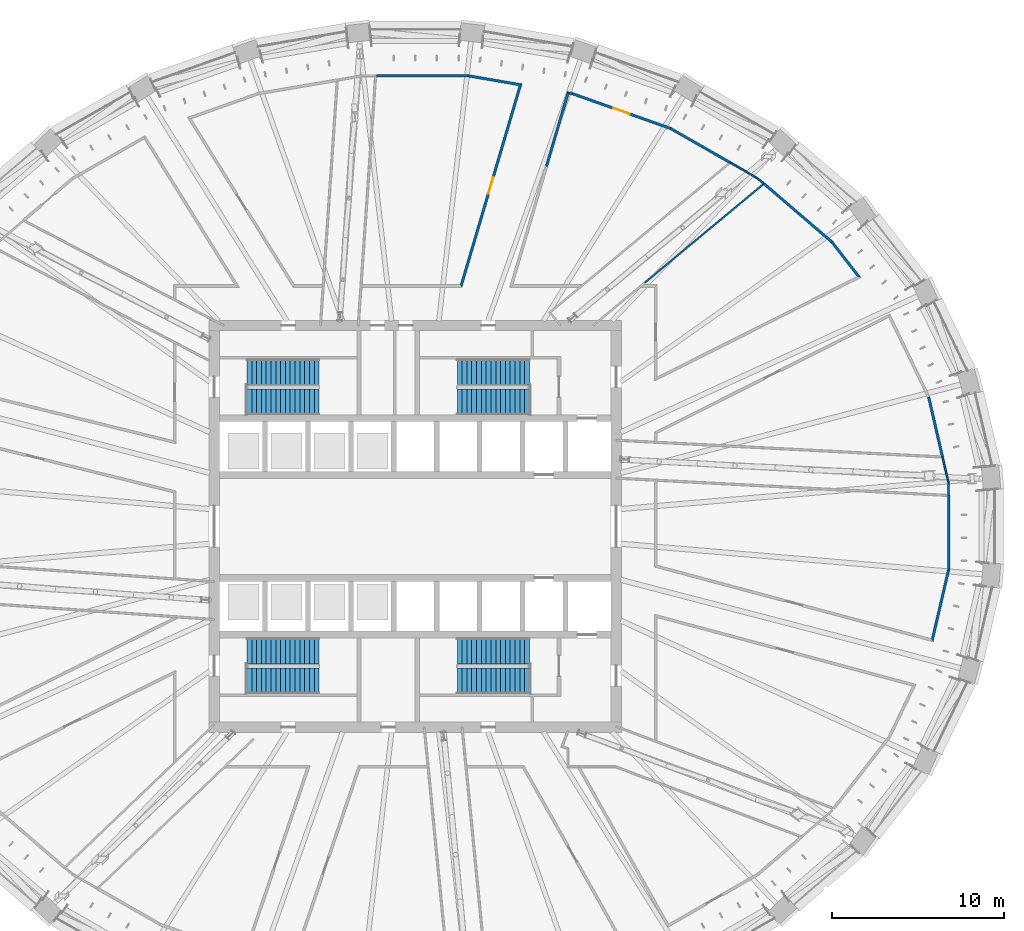
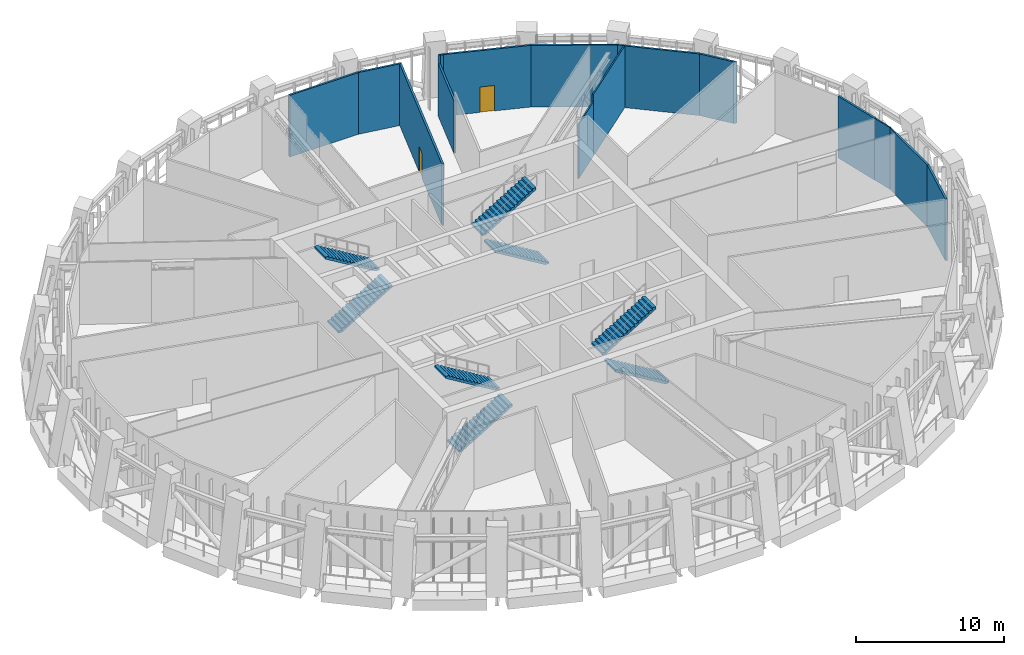
# One storey, part 11 of 21: 18 walls, 8 stair flights, 2 doors, 2 openings, 4 elements without a shape of their own.
"""IFC4 building model written with IfcOpenShell, lengths in metres."""

from ifc_helpers import new_model, si_unit, direction, frame, frame_2d, origin, place, context, subcontext, project, spatial, polyline, rectangle, outline, extrude, material, layer, layer_set, type_object, element, fill, aggregate, save


model = new_model("IFC4")

# Units and contexts
model_context = context("Model", 3, precision=1e-05, world=origin(), true_north=direction((0.0, 1.0)))
body_context = subcontext(model_context, "Body", "Model", "MODEL_VIEW")
ifc_project = project(units=[si_unit("LENGTHUNIT", "METRE"), si_unit("AREAUNIT", "SQUARE_METRE"), si_unit("VOLUMEUNIT", "CUBIC_METRE"), si_unit("PLANEANGLEUNIT", "RADIAN"), si_unit("MASSUNIT", "GRAM", prefix="KILO")], contexts=[model_context])

# Site, building, storey
site_placement = place(None, origin())
site = spatial("IfcSite", under=ifc_project, at=site_placement, CompositionType="ELEMENT")
building_placement = place(site_placement, origin())
building = spatial("IfcBuilding", under=site, at=building_placement, Name="Halqa Exchange Tower", CompositionType="ELEMENT")
storey_placement = place(building_placement, frame((0.0, 0.0, 173.5)))
storey = spatial("IfcBuildingStorey", under=building, at=storey_placement, Name="L39", CompositionType="ELEMENT", Elevation=173.5)

# Wall, opening, door
ifc_material_1 = material(Name="Fire-rated gypsum board")
ifc_layer_1 = layer(ifc_material_1, 0.14990234375)
ifc_layer_set_1 = layer_set([ifc_layer_1], Name="Fire-rated gypsum board")
wall_type_1 = type_object("IfcWallType", Name="Fire partition EI 60 150", PredefinedType="PARTITIONING", material=ifc_layer_set_1)
wall_1_placement = place(storey_placement, frame((2.654052734375, 13.9462890625, 0.0), z_axis=(0.0, 0.0, 1.0), x_axis=(0.283144655169, 0.959077214957, 0.0)))
wall_1 = element("IfcWall", 1, at=wall_1_placement, inside=storey, type_object=wall_type_1, Name="L39-PWL-053", PredefinedType="PARTITIONING", context=body_context, shape_type="SweptSolid", body=[
    extrude(outline(polyline([(0.0, -0.074951171875), (1.765869140625, -0.074951171875), (3.531494140625, -0.074951171875), (5.29736328125, -0.074951171875), (7.06298828125, -0.074951171875), (8.828857421875, -0.074951171875), (10.594482421875, -0.074951171875), (12.3603515625, -0.074951171875), (12.191650390625, 0.074951171875), (10.466064453125, 0.074951171875), (8.740478515625, 0.074951171875), (7.014892578125, 0.074951171875), (5.2890625, 0.074951171875), (3.5634765625, 0.074951171875), (1.837890625, 0.074951171875), (0.112060546875, 0.074951171875), (0.0, -0.074951171875)])), origin(), (0.0, 0.0, 1.0), 5.10009765625),
])
opening_1_placement = place(wall_1_placement, frame((5.666015625, 0.0, 0.0)))
opening_1 = element("IfcOpeningElement", 2, at=opening_1_placement, cuts=wall_1, Name="Opening L39-12", PredefinedType="OPENING", context=body_context, shape_type="SweptSolid", body=[
    extrude(rectangle(XDim=1.0, YDim=2.10009765625, at=frame_2d((0.5, 1.050048828125))), frame((0.0, 0.0869140625, 0.0), z_axis=(0.0, -1.0, 0.0), x_axis=(1.0, 0.0, 0.0)), (0.0, 0.0, 1.0), 0.173828125),
])
ifc_material_2 = material(Name="Steel fire door leaf", Category="steel")
door_type = type_object("IfcDoorType", Name="Fire door FD30S 1000 x 2100", OperationType="SINGLE_SWING_LEFT", PredefinedType="DOOR", material=ifc_material_2)
door_1_placement = place(opening_1_placement, origin())
door_1 = element("IfcDoor", 3, at=door_1_placement, inside=storey, type_object=door_type, Name="L39-IDR-012", OperationType="SINGLE_SWING_RIGHT", OverallHeight=2.10009765625, OverallWidth=1.0, PredefinedType="DOOR", context=body_context, shape_type="SweptSolid", body=[
    extrude(rectangle(XDim=1.0, YDim=2.10009765625, at=frame_2d((0.5, 1.050048828125))), frame((0.0, 0.02490234375, 0.0), z_axis=(0.0, -1.0, 0.0), x_axis=(1.0, 0.0, 0.0)), (0.0, 0.0, 1.0), 0.050048828125),
])
fill(opening_1, door_1)

# Walls
wall_2_placement = place(storey_placement, frame((3.1064453125, 26.239990234375, 0.0), z_axis=(0.0, 0.0, 1.0), x_axis=(-1.0, 0.0, 0.0)))
element("IfcWall", 4, at=wall_2_placement, inside=storey, type_object=wall_type_1, Name="L39-PWL-056", PredefinedType="PARTITIONING", context=body_context, shape_type="SweptSolid", body=[
    extrude(outline(polyline([(5.364013671875, 0.074951171875), (3.580322265625, 0.074951171875), (1.796630859375, 0.074951171875), (0.012939453125, 0.074951171875), (0.0, -0.074951171875), (1.7880859375, -0.074951171875), (3.575927734375, -0.074951171875), (5.364013671875, -0.074951171875), (5.364013671875, 0.074951171875)])), origin(), (0.0, 0.0, 1.0), 5.10009765625),
])
wall_3_placement = place(storey_placement, frame((6.213134765625, 25.705810546875, 0.0), z_axis=(0.0, 0.0, 1.0), x_axis=(-0.98558810082, 0.169162925968, 0.0)))
element("IfcWall", 5, at=wall_3_placement, inside=storey, type_object=wall_type_1, Name="L39-PWL-060", PredefinedType="PARTITIONING", context=body_context, shape_type="SweptSolid", body=[
    extrude(outline(polyline([(0.0, -0.074951171875), (1.58251953125, -0.074951171875), (3.1650390625, -0.074951171875), (3.15234375, 0.074951171875), (1.660400390625, 0.074951171875), (0.16845703125, 0.074951171875), (0.0, -0.074951171875), (0.0, -0.074951171875)])), origin(), (0.0, 0.0, 1.0), 5.10009765625),
])
wall_4_placement = place(storey_placement, frame((8.835205078125, 25.251953125, 0.0), z_axis=(0.0, 0.0, 1.0), x_axis=(0.987472375229, -0.157791977485, 0.0)))
element("IfcWall", 6, at=wall_4_placement, inside=storey, type_object=wall_type_1, Name="L39-PWL-068", PredefinedType="PARTITIONING", context=body_context, shape_type="SweptSolid", body=[
    extrude(outline(polyline([(0.132080078125, -0.074951171875), (0.322021484375, -0.074951171875), (0.335693359375, 0.073974609375), (0.335693359375, 0.074951171875), (0.000244140625, 0.074951171875), (0.132080078125, -0.074951171875)])), origin(), (0.0, 0.0, 1.0), 5.10009765625),
])

# Wall, opening, door
wall_5_placement = place(storey_placement, frame((14.8662109375, 23.177734375, 0.0), z_axis=(0.0, 0.0, 1.0), x_axis=(-0.942552992083, 0.334056667522, 0.0)))
wall_5 = element("IfcWall", 7, at=wall_5_placement, inside=storey, type_object=wall_type_1, Name="L39-PWL-086", PredefinedType="PARTITIONING", context=body_context, shape_type="SweptSolid", body=[
    extrude(outline(polyline([(6.060791015625, -0.074951171875), (6.060791015625, -0.07470703125), (6.047119140625, 0.074951171875), (4.53857421875, 0.074951171875), (3.0302734375, 0.074951171875), (1.521728515625, 0.074951171875), (0.013427734375, 0.074951171875), (0.0, -0.07373046875), (0.0, -0.074951171875), (1.51513671875, -0.074951171875), (3.0302734375, -0.074951171875), (4.545654296875, -0.074951171875), (6.060791015625, -0.074951171875)])), origin(), (0.0, 0.0, 1.0), 5.10009765625),
])
opening_2_placement = place(wall_5_placement, frame((2.530517578125, 0.0, 0.0)))
opening_2 = element("IfcOpeningElement", 8, at=opening_2_placement, cuts=wall_5, Name="Opening L39-11", PredefinedType="OPENING", context=body_context, shape_type="SweptSolid", body=[
    extrude(rectangle(XDim=1.0, YDim=2.10009765625, at=frame_2d((0.5, 1.050048828125))), frame((0.0, 0.0869140625, 0.0), z_axis=(0.0, -1.0, 0.0), x_axis=(1.0, 0.0, 0.0)), (0.0, 0.0, 1.0), 0.173828125),
])
door_2_placement = place(opening_2_placement, origin())
door_2 = element("IfcDoor", 9, at=door_2_placement, inside=storey, type_object=door_type, Name="L39-IDR-011", OperationType="SINGLE_SWING_LEFT", OverallHeight=2.10009765625, OverallWidth=1.0, PredefinedType="DOOR", context=body_context, shape_type="SweptSolid", body=[
    extrude(rectangle(XDim=1.0, YDim=2.10009765625, at=frame_2d((0.5, 1.050048828125))), frame((0.0, 0.02490234375, 0.0), z_axis=(0.0, -1.0, 0.0), x_axis=(1.0, 0.0, 0.0)), (0.0, 0.0, 1.0), 0.050048828125),
])
fill(opening_2, door_2)

# Walls
wall_6_placement = place(storey_placement, frame((18.340087890625, 21.18994140625, 0.0), z_axis=(0.0, 0.0, 1.0), x_axis=(-0.868082214064, 0.496420456495, 0.0)))
element("IfcWall", 10, at=wall_6_placement, inside=storey, type_object=wall_type_1, Name="L39-PWL-087", PredefinedType="PARTITIONING", context=body_context, shape_type="SweptSolid", body=[
    extrude(outline(polyline([(4.015625, -0.074951171875), (4.015625, -0.074951171875), (4.002197265625, 0.074951171875), (2.668212890625, 0.074951171875), (1.333984375, 0.074951171875), (0.0, 0.074951171875), (0.0, -0.074951171875), (1.338623046875, -0.074951171875), (2.677001953125, -0.074951171875), (4.015625, -0.074951171875)])), origin(), (0.0, 0.0, 1.0), 5.10009765625),
])
wall_7_placement = place(storey_placement, frame((24.265625, 16.565185546875, 0.0), z_axis=(0.0, 0.0, 1.0), x_axis=(-0.758849800529, 0.651265675617, 0.0)))
element("IfcWall", 11, at=wall_7_placement, inside=storey, type_object=wall_type_1, Name="L39-PWL-092", PredefinedType="PARTITIONING", context=body_context, shape_type="SweptSolid", body=[
    extrude(outline(polyline([(5.212646484375, 0.074951171875), (3.47998046875, 0.074951171875), (1.74755859375, 0.074951171875), (0.014892578125, 0.074951171875), (0.0, -0.07373046875), (0.0, -0.074951171875), (1.737548828125, -0.074951171875), (3.47509765625, -0.074951171875), (5.212646484375, -0.074951171875), (5.212646484375, 0.074951171875)])), origin(), (0.0, 0.0, 1.0), 5.10009765625),
])
wall_8_placement = place(storey_placement, frame((24.25537109375, 16.575927734375, 0.0), z_axis=(0.0, 0.0, 1.0), x_axis=(0.614204963837, -0.789146540509, 0.0)))
element("IfcWall", 12, at=wall_8_placement, inside=storey, type_object=wall_type_1, Name="L39-PWL-093", PredefinedType="PARTITIONING", context=body_context, shape_type="SweptSolid", body=[
    extrude(outline(polyline([(0.01513671875, -0.074951171875), (2.502197265625, -0.074951171875), (2.684814453125, 0.074951171875), (1.342529296875, 0.074951171875), (0.0, 0.074951171875), (0.0, 0.074951171875), (0.01513671875, -0.074951171875)])), origin(), (0.0, 0.0, 1.0), 5.10009765625),
])
wall_9_placement = place(storey_placement, frame((30.09228515625, -6.70556640625, 0.0), z_axis=(0.0, 0.0, 1.0), x_axis=(0.226294777683, 0.974058865569, 0.0)))
element("IfcWall", 13, at=wall_9_placement, inside=storey, type_object=wall_type_1, Name="L39-PWL-099", PredefinedType="PARTITIONING", context=body_context, shape_type="SweptSolid", body=[
    extrude(outline(polyline([(0.000244140625, -0.074951171875), (1.428466796875, -0.074951171875), (2.85693359375, -0.074951171875), (4.28515625, -0.074951171875), (4.267822265625, 0.074951171875), (2.89697265625, 0.074951171875), (1.526123046875, 0.074951171875), (0.1552734375, 0.074951171875), (0.000244140625, -0.074951171875)])), origin(), (0.0, 0.0, 1.0), 5.10009765625),
])
wall_10_placement = place(storey_placement, frame((30.7099609375, 4.0400390625, 0.0), z_axis=(0.0, 0.0, 1.0), x_axis=(-0.225443787921, 0.974256177033, 0.0)))
element("IfcWall", 14, at=wall_10_placement, inside=storey, type_object=wall_type_1, Name="L39-PWL-100", PredefinedType="PARTITIONING", context=body_context, shape_type="SweptSolid", body=[
    extrude(outline(polyline([(3.600830078125, -0.074951171875), (3.600830078125, -0.074462890625), (3.583984375, 0.074951171875), (1.7919921875, 0.074951171875), (0.0, 0.074951171875), (0.0, -0.074951171875), (1.80029296875, -0.074951171875), (3.600830078125, -0.074951171875)])), origin(), (0.0, 0.0, 1.0), 5.10009765625),
])
wall_11_placement = place(storey_placement, frame((31.06005859375, -2.548583984375, 0.0), z_axis=(0.0, 0.0, 1.0), x_axis=(0.0, 1.0, 0.0)))
element("IfcWall", 15, at=wall_11_placement, inside=storey, type_object=wall_type_1, Name="L39-PWL-101", PredefinedType="PARTITIONING", context=body_context, shape_type="SweptSolid", body=[
    extrude(outline(polyline([(4.36865234375, 0.074951171875), (2.918212890625, 0.074951171875), (1.4677734375, 0.074951171875), (0.01708984375, 0.074951171875), (0.0, -0.074951171875), (0.0, -0.074951171875), (1.456298828125, -0.074951171875), (2.912353515625, -0.074951171875), (4.36865234375, -0.074951171875), (4.36865234375, 0.074951171875)])), origin(), (0.0, 0.0, 1.0), 5.10009765625),
])
wall_12_placement = place(storey_placement, frame((7.642822265625, 20.970703125, 0.0), z_axis=(0.0, 0.0, 1.0), x_axis=(0.282505672749, 0.959265627897, 0.0)))
element("IfcWall", 16, at=wall_12_placement, inside=storey, type_object=wall_type_1, Name="L39-PWL-110", PredefinedType="PARTITIONING", context=body_context, shape_type="SweptSolid", body=[
    extrude(outline(polyline([(0.0, -0.074951171875), (1.4619140625, -0.074951171875), (2.924072265625, -0.074951171875), (4.385986328125, -0.074951171875), (4.51806640625, 0.074951171875), (3.011962890625, 0.074951171875), (1.506103515625, 0.074951171875), (0.0, 0.074951171875), (0.0, -0.074951171875)])), origin(), (0.0, 0.0, 1.0), 4.346923828125),
])
ifc_material_3 = material(Name="Gypsum board")
ifc_layer_2 = layer(ifc_material_3, 0.10009765625)
ifc_layer_set_2 = layer_set([ifc_layer_2], Name="Gypsum board")
wall_type_2 = type_object("IfcWallType", Name="Partition 100 gypsum", PredefinedType="PARTITIONING", material=ifc_layer_set_2)
wall_13_placement = place(storey_placement, frame((19.964111328125, 20.2578125, 0.0), z_axis=(0.0, 0.0, 1.0), x_axis=(-0.867294794208, 0.497794877373, 0.0)))
element("IfcWall", 17, at=wall_13_placement, inside=storey, type_object=wall_type_2, Name="L39-PWL-089", PredefinedType="PARTITIONING", context=body_context, shape_type="SweptSolid", body=[
    extrude(outline(polyline([(1.87255859375, 0.050048828125), (0.00927734375, 0.050048828125), (0.0, -0.04931640625), (0.0, -0.050048828125), (1.87255859375, -0.050048828125), (1.87255859375, 0.050048828125)])), origin(), (0.0, 0.0, 1.0), 5.10009765625),
])
wall_14_placement = place(storey_placement, frame((20.31005859375, 19.9599609375, 0.0), z_axis=(0.0, 0.0, 1.0), x_axis=(-0.759256602365, 0.650791373456, 0.0)))
element("IfcWall", 18, at=wall_14_placement, inside=storey, type_object=wall_type_2, Name="L39-PWL-090", PredefinedType="PARTITIONING", context=body_context, shape_type="SweptSolid", body=[
    extrude(outline(polyline([(0.0, -0.050048828125), (0.4658203125, -0.050048828125), (0.456298828125, 0.050048828125), (0.0, 0.050048828125), (0.0, -0.050048828125)])), origin(), (0.0, 0.0, 1.0), 5.10009765625),
])
wall_15_placement = place(storey_placement, frame((31.06005859375, 1.820068359375, 0.0), z_axis=(0.0, 0.0, 1.0), x_axis=(0.0, 1.0, 0.0)))
element("IfcWall", 19, at=wall_15_placement, inside=storey, type_object=wall_type_2, Name="L39-PWL-102", PredefinedType="PARTITIONING", context=body_context, shape_type="SweptSolid", body=[
    extrude(outline(polyline([(0.0, -0.050048828125), (0.7255859375, -0.050048828125), (0.714111328125, 0.050048828125), (0.0, 0.050048828125), (0.0, -0.050048828125)])), origin(), (0.0, 0.0, 1.0), 5.10009765625),
])
wall_16_placement = place(storey_placement, frame((31.061279296875, 2.534423828125, 0.0), z_axis=(0.0, 0.0, 1.0), x_axis=(-0.227234607536, 0.973840044945, 0.0)))
element("IfcWall", 20, at=wall_16_placement, inside=storey, type_object=wall_type_2, Name="L39-PWL-103", PredefinedType="PARTITIONING", context=body_context, shape_type="SweptSolid", body=[
    extrude(outline(polyline([(1.546142578125, 0.050048828125), (0.011474609375, 0.050048828125), (0.0, -0.0498046875), (0.0, -0.050048828125), (1.546142578125, -0.050048828125), (1.546142578125, 0.050048828125)])), origin(), (0.0, 0.0, 1.0), 5.10009765625),
])
wall_17_placement = place(storey_placement, frame((13.37255859375, 14.20068359375, 0.0), z_axis=(0.0, 0.0, 1.0), x_axis=(0.769361268621, 0.638813930927, 0.0)))
element("IfcWall", 21, at=wall_17_placement, inside=storey, type_object=wall_type_2, Name="L39-PWL-111", PredefinedType="PARTITIONING", context=body_context, shape_type="SweptSolid", body=[
    extrude(outline(polyline([(0.0, 0.050048828125), (0.0, -0.050048828125), (1.42041015625, -0.050048828125), (2.8408203125, -0.050048828125), (2.8408203125, 0.050048828125), (1.42041015625, 0.050048828125), (0.0, 0.050048828125)])), origin(), (0.0, 0.0, 1.0), 4.5),
])
wall_18_placement = place(storey_placement, frame((15.55810546875, 16.015380859375, 0.0), z_axis=(0.0, 0.0, 1.0), x_axis=(0.769423949418, 0.638738433212, 0.0)))
element("IfcWall", 22, at=wall_18_placement, inside=storey, type_object=wall_type_2, Name="L39-PWL-112", PredefinedType="PARTITIONING", context=body_context, shape_type="SweptSolid", body=[
    extrude(outline(polyline([(0.0, -0.050048828125), (1.527099609375, -0.050048828125), (3.05419921875, -0.050048828125), (4.581298828125, -0.050048828125), (6.108154296875, -0.050048828125), (6.101806640625, -0.0126953125), (6.116455078125, -0.01025390625), (6.116455078125, 0.050048828125), (4.58740234375, 0.050048828125), (3.05810546875, 0.050048828125), (1.529052734375, 0.050048828125), (0.0, 0.050048828125), (0.0, -0.050048828125)])), origin(), (0.0, 0.0, 1.0), 5.10009765625),
])

# Stair, stair flights
ifc_material_4 = material(Name="Concrete C30/37", Category="concrete")
stair_type = type_object("IfcStairType", Name="Exit stair 1500 wide", PredefinedType="HALF_TURN_STAIR", material=ifc_material_4)
stair_1_placement = place(storey_placement, origin())
stair_1 = element("IfcStair", 23, at=stair_1_placement, inside=storey, type_object=stair_type, Name="Exit stair ST1", PredefinedType="HALF_TURN_STAIR")
stair_flight_type = type_object("IfcStairFlightType", Name="Stair flight 1500 wide", PredefinedType="STRAIGHT", material=ifc_material_4)
stair_flight_1_placement = place(storey_placement, frame((-9.800048828125, 7.25, 0.0), z_axis=(0.0, 0.0, 1.0), x_axis=(1.0, 0.0, 0.0)))
stair_flight_1 = element("IfcStairFlight", 24, at=stair_flight_1_placement, type_object=stair_flight_type, Name="ST1 flight 1", NumberOfRisers=16, NumberOfTreads=15, PredefinedType="STRAIGHT", RiserHeight=0.16875, TreadLength=0.28, context=body_context, shape_type="SweptSolid", body=[
    extrude(outline(polyline([(0.0, 0.0), (0.0, 0.168701171875), (0.280029296875, 0.168701171875), (0.280029296875, 0.33740234375), (0.56005859375, 0.33740234375), (0.56005859375, 0.50634765625), (0.840087890625, 0.50634765625), (0.840087890625, 0.675048828125), (1.1201171875, 0.675048828125), (1.1201171875, 0.84375), (1.39990234375, 0.84375), (1.39990234375, 1.012451171875), (1.679931640625, 1.012451171875), (1.679931640625, 1.18115234375), (1.9599609375, 1.18115234375), (1.9599609375, 1.35009765625), (2.239990234375, 1.35009765625), (2.239990234375, 1.518798828125), (2.52001953125, 1.518798828125), (2.52001953125, 1.6875), (2.800048828125, 1.6875), (2.800048828125, 1.856201171875), (3.080078125, 1.856201171875), (3.080078125, 2.02490234375), (3.360107421875, 2.02490234375), (3.360107421875, 2.19384765625), (3.639892578125, 2.19384765625), (3.639892578125, 2.362548828125), (3.919921875, 2.362548828125), (3.919921875, 2.53125), (4.199951171875, 2.53125), (4.199951171875, 2.699951171875), (4.199951171875, 2.356201171875), (0.29052734375, 0.0), (0.0, 0.0)])), frame((0.0, 0.75, 0.0), z_axis=(0.0, -1.0, 0.0), x_axis=(1.0, 0.0, 0.0)), (0.0, 0.0, 1.0), 1.5),
])
stair_flight_2_placement = place(storey_placement, frame((-5.60009765625, 9.0, 2.699951171875), z_axis=(0.0, 0.0, 1.0), x_axis=(-1.0, 0.0, 0.0)))
stair_flight_2 = element("IfcStairFlight", 25, at=stair_flight_2_placement, type_object=stair_flight_type, Name="ST1 flight 2", NumberOfRisers=16, NumberOfTreads=15, PredefinedType="STRAIGHT", RiserHeight=0.16875, TreadLength=0.28, context=body_context, shape_type="SweptSolid", body=[
    extrude(outline(polyline([(0.0, 0.0), (0.0, 0.168701171875), (0.280029296875, 0.168701171875), (0.280029296875, 0.33740234375), (0.56005859375, 0.33740234375), (0.56005859375, 0.50634765625), (0.840087890625, 0.50634765625), (0.840087890625, 0.675048828125), (1.1201171875, 0.675048828125), (1.1201171875, 0.84375), (1.39990234375, 0.84375), (1.39990234375, 1.012451171875), (1.679931640625, 1.012451171875), (1.679931640625, 1.18115234375), (1.9599609375, 1.18115234375), (1.9599609375, 1.35009765625), (2.239990234375, 1.35009765625), (2.239990234375, 1.518798828125), (2.52001953125, 1.518798828125), (2.52001953125, 1.6875), (2.800048828125, 1.6875), (2.800048828125, 1.856201171875), (3.080078125, 1.856201171875), (3.080078125, 2.02490234375), (3.360107421875, 2.02490234375), (3.360107421875, 2.19384765625), (3.639892578125, 2.19384765625), (3.639892578125, 2.362548828125), (3.919921875, 2.362548828125), (3.919921875, 2.53125), (4.199951171875, 2.53125), (4.199951171875, 2.699951171875), (4.199951171875, 2.356201171875), (0.29052734375, 0.0), (0.0, 0.0)])), frame((0.0, 0.75, 0.0), z_axis=(0.0, -1.0, 0.0), x_axis=(1.0, 0.0, 0.0)), (0.0, 0.0, 1.0), 1.5),
])
aggregate(stair_1, [stair_flight_1, stair_flight_2])

stair_2_placement = place(storey_placement, origin())
stair_2 = element("IfcStair", 26, at=stair_2_placement, inside=storey, type_object=stair_type, Name="Exit stair ST2", PredefinedType="HALF_TURN_STAIR")
stair_flight_3_placement = place(storey_placement, frame((6.64990234375, 7.25, 0.0), z_axis=(0.0, 0.0, 1.0), x_axis=(-1.0, 0.0, 0.0)))
stair_flight_3 = element("IfcStairFlight", 27, at=stair_flight_3_placement, type_object=stair_flight_type, Name="ST2 flight 1", NumberOfRisers=16, NumberOfTreads=15, PredefinedType="STRAIGHT", RiserHeight=0.16875, TreadLength=0.28, context=body_context, shape_type="SweptSolid", body=[
    extrude(outline(polyline([(0.0, 0.0), (0.0, 0.168701171875), (0.280029296875, 0.168701171875), (0.280029296875, 0.33740234375), (0.56005859375, 0.33740234375), (0.56005859375, 0.50634765625), (0.840087890625, 0.50634765625), (0.840087890625, 0.675048828125), (1.1201171875, 0.675048828125), (1.1201171875, 0.84375), (1.39990234375, 0.84375), (1.39990234375, 1.012451171875), (1.679931640625, 1.012451171875), (1.679931640625, 1.18115234375), (1.9599609375, 1.18115234375), (1.9599609375, 1.35009765625), (2.239990234375, 1.35009765625), (2.239990234375, 1.518798828125), (2.52001953125, 1.518798828125), (2.52001953125, 1.6875), (2.800048828125, 1.6875), (2.800048828125, 1.856201171875), (3.080078125, 1.856201171875), (3.080078125, 2.02490234375), (3.360107421875, 2.02490234375), (3.360107421875, 2.19384765625), (3.639892578125, 2.19384765625), (3.639892578125, 2.362548828125), (3.919921875, 2.362548828125), (3.919921875, 2.53125), (4.199951171875, 2.53125), (4.199951171875, 2.699951171875), (4.199951171875, 2.356201171875), (0.29052734375, 0.0), (0.0, 0.0)])), frame((0.0, 0.75, 0.0), z_axis=(0.0, -1.0, 0.0), x_axis=(1.0, 0.0, 0.0)), (0.0, 0.0, 1.0), 1.5),
])
stair_flight_4_placement = place(storey_placement, frame((2.449951171875, 9.0, 2.699951171875), z_axis=(0.0, 0.0, 1.0), x_axis=(1.0, 0.0, 0.0)))
stair_flight_4 = element("IfcStairFlight", 28, at=stair_flight_4_placement, type_object=stair_flight_type, Name="ST2 flight 2", NumberOfRisers=16, NumberOfTreads=15, PredefinedType="STRAIGHT", RiserHeight=0.16875, TreadLength=0.28, context=body_context, shape_type="SweptSolid", body=[
    extrude(outline(polyline([(0.0, 0.0), (0.0, 0.168701171875), (0.280029296875, 0.168701171875), (0.280029296875, 0.33740234375), (0.56005859375, 0.33740234375), (0.56005859375, 0.50634765625), (0.840087890625, 0.50634765625), (0.840087890625, 0.675048828125), (1.1201171875, 0.675048828125), (1.1201171875, 0.84375), (1.39990234375, 0.84375), (1.39990234375, 1.012451171875), (1.679931640625, 1.012451171875), (1.679931640625, 1.18115234375), (1.9599609375, 1.18115234375), (1.9599609375, 1.35009765625), (2.239990234375, 1.35009765625), (2.239990234375, 1.518798828125), (2.52001953125, 1.518798828125), (2.52001953125, 1.6875), (2.800048828125, 1.6875), (2.800048828125, 1.856201171875), (3.080078125, 1.856201171875), (3.080078125, 2.02490234375), (3.360107421875, 2.02490234375), (3.360107421875, 2.19384765625), (3.639892578125, 2.19384765625), (3.639892578125, 2.362548828125), (3.919921875, 2.362548828125), (3.919921875, 2.53125), (4.199951171875, 2.53125), (4.199951171875, 2.699951171875), (4.199951171875, 2.356201171875), (0.29052734375, 0.0), (0.0, 0.0)])), frame((0.0, 0.75, 0.0), z_axis=(0.0, -1.0, 0.0), x_axis=(1.0, 0.0, 0.0)), (0.0, 0.0, 1.0), 1.5),
])
aggregate(stair_2, [stair_flight_3, stair_flight_4])

stair_3_placement = place(storey_placement, origin())
stair_3 = element("IfcStair", 29, at=stair_3_placement, inside=storey, type_object=stair_type, Name="Exit stair ST3", PredefinedType="HALF_TURN_STAIR")
stair_flight_5_placement = place(storey_placement, frame((-9.800048828125, -9.0, 0.0), z_axis=(0.0, 0.0, 1.0), x_axis=(1.0, 0.0, 0.0)))
stair_flight_5 = element("IfcStairFlight", 30, at=stair_flight_5_placement, type_object=stair_flight_type, Name="ST3 flight 1", NumberOfRisers=16, NumberOfTreads=15, PredefinedType="STRAIGHT", RiserHeight=0.16875, TreadLength=0.28, context=body_context, shape_type="SweptSolid", body=[
    extrude(outline(polyline([(0.0, 0.0), (0.0, 0.168701171875), (0.280029296875, 0.168701171875), (0.280029296875, 0.33740234375), (0.56005859375, 0.33740234375), (0.56005859375, 0.50634765625), (0.840087890625, 0.50634765625), (0.840087890625, 0.675048828125), (1.1201171875, 0.675048828125), (1.1201171875, 0.84375), (1.39990234375, 0.84375), (1.39990234375, 1.012451171875), (1.679931640625, 1.012451171875), (1.679931640625, 1.18115234375), (1.9599609375, 1.18115234375), (1.9599609375, 1.35009765625), (2.239990234375, 1.35009765625), (2.239990234375, 1.518798828125), (2.52001953125, 1.518798828125), (2.52001953125, 1.6875), (2.800048828125, 1.6875), (2.800048828125, 1.856201171875), (3.080078125, 1.856201171875), (3.080078125, 2.02490234375), (3.360107421875, 2.02490234375), (3.360107421875, 2.19384765625), (3.639892578125, 2.19384765625), (3.639892578125, 2.362548828125), (3.919921875, 2.362548828125), (3.919921875, 2.53125), (4.199951171875, 2.53125), (4.199951171875, 2.699951171875), (4.199951171875, 2.356201171875), (0.29052734375, 0.0), (0.0, 0.0)])), frame((0.0, 0.75, 0.0), z_axis=(0.0, -1.0, 0.0), x_axis=(1.0, 0.0, 0.0)), (0.0, 0.0, 1.0), 1.5),
])
stair_flight_6_placement = place(storey_placement, frame((-5.60009765625, -7.25, 2.699951171875), z_axis=(0.0, 0.0, 1.0), x_axis=(-1.0, 0.0, 0.0)))
stair_flight_6 = element("IfcStairFlight", 31, at=stair_flight_6_placement, type_object=stair_flight_type, Name="ST3 flight 2", NumberOfRisers=16, NumberOfTreads=15, PredefinedType="STRAIGHT", RiserHeight=0.16875, TreadLength=0.28, context=body_context, shape_type="SweptSolid", body=[
    extrude(outline(polyline([(0.0, 0.0), (0.0, 0.168701171875), (0.280029296875, 0.168701171875), (0.280029296875, 0.33740234375), (0.56005859375, 0.33740234375), (0.56005859375, 0.50634765625), (0.840087890625, 0.50634765625), (0.840087890625, 0.675048828125), (1.1201171875, 0.675048828125), (1.1201171875, 0.84375), (1.39990234375, 0.84375), (1.39990234375, 1.012451171875), (1.679931640625, 1.012451171875), (1.679931640625, 1.18115234375), (1.9599609375, 1.18115234375), (1.9599609375, 1.35009765625), (2.239990234375, 1.35009765625), (2.239990234375, 1.518798828125), (2.52001953125, 1.518798828125), (2.52001953125, 1.6875), (2.800048828125, 1.6875), (2.800048828125, 1.856201171875), (3.080078125, 1.856201171875), (3.080078125, 2.02490234375), (3.360107421875, 2.02490234375), (3.360107421875, 2.19384765625), (3.639892578125, 2.19384765625), (3.639892578125, 2.362548828125), (3.919921875, 2.362548828125), (3.919921875, 2.53125), (4.199951171875, 2.53125), (4.199951171875, 2.699951171875), (4.199951171875, 2.356201171875), (0.29052734375, 0.0), (0.0, 0.0)])), frame((0.0, 0.75, 0.0), z_axis=(0.0, -1.0, 0.0), x_axis=(1.0, 0.0, 0.0)), (0.0, 0.0, 1.0), 1.5),
])
aggregate(stair_3, [stair_flight_5, stair_flight_6])

stair_4_placement = place(storey_placement, origin())
stair_4 = element("IfcStair", 32, at=stair_4_placement, inside=storey, type_object=stair_type, Name="Exit stair ST4", PredefinedType="HALF_TURN_STAIR")
stair_flight_7_placement = place(storey_placement, frame((6.64990234375, -9.0, 0.0), z_axis=(0.0, 0.0, 1.0), x_axis=(-1.0, 0.0, 0.0)))
stair_flight_7 = element("IfcStairFlight", 33, at=stair_flight_7_placement, type_object=stair_flight_type, Name="ST4 flight 1", NumberOfRisers=16, NumberOfTreads=15, PredefinedType="STRAIGHT", RiserHeight=0.16875, TreadLength=0.28, context=body_context, shape_type="SweptSolid", body=[
    extrude(outline(polyline([(0.0, 0.0), (0.0, 0.168701171875), (0.280029296875, 0.168701171875), (0.280029296875, 0.33740234375), (0.56005859375, 0.33740234375), (0.56005859375, 0.50634765625), (0.840087890625, 0.50634765625), (0.840087890625, 0.675048828125), (1.1201171875, 0.675048828125), (1.1201171875, 0.84375), (1.39990234375, 0.84375), (1.39990234375, 1.012451171875), (1.679931640625, 1.012451171875), (1.679931640625, 1.18115234375), (1.9599609375, 1.18115234375), (1.9599609375, 1.35009765625), (2.239990234375, 1.35009765625), (2.239990234375, 1.518798828125), (2.52001953125, 1.518798828125), (2.52001953125, 1.6875), (2.800048828125, 1.6875), (2.800048828125, 1.856201171875), (3.080078125, 1.856201171875), (3.080078125, 2.02490234375), (3.360107421875, 2.02490234375), (3.360107421875, 2.19384765625), (3.639892578125, 2.19384765625), (3.639892578125, 2.362548828125), (3.919921875, 2.362548828125), (3.919921875, 2.53125), (4.199951171875, 2.53125), (4.199951171875, 2.699951171875), (4.199951171875, 2.356201171875), (0.29052734375, 0.0), (0.0, 0.0)])), frame((0.0, 0.75, 0.0), z_axis=(0.0, -1.0, 0.0), x_axis=(1.0, 0.0, 0.0)), (0.0, 0.0, 1.0), 1.5),
])
stair_flight_8_placement = place(storey_placement, frame((2.449951171875, -7.25, 2.699951171875), z_axis=(0.0, 0.0, 1.0), x_axis=(1.0, 0.0, 0.0)))
stair_flight_8 = element("IfcStairFlight", 34, at=stair_flight_8_placement, type_object=stair_flight_type, Name="ST4 flight 2", NumberOfRisers=16, NumberOfTreads=15, PredefinedType="STRAIGHT", RiserHeight=0.16875, TreadLength=0.28, context=body_context, shape_type="SweptSolid", body=[
    extrude(outline(polyline([(0.0, 0.0), (0.0, 0.168701171875), (0.280029296875, 0.168701171875), (0.280029296875, 0.33740234375), (0.56005859375, 0.33740234375), (0.56005859375, 0.50634765625), (0.840087890625, 0.50634765625), (0.840087890625, 0.675048828125), (1.1201171875, 0.675048828125), (1.1201171875, 0.84375), (1.39990234375, 0.84375), (1.39990234375, 1.012451171875), (1.679931640625, 1.012451171875), (1.679931640625, 1.18115234375), (1.9599609375, 1.18115234375), (1.9599609375, 1.35009765625), (2.239990234375, 1.35009765625), (2.239990234375, 1.518798828125), (2.52001953125, 1.518798828125), (2.52001953125, 1.6875), (2.800048828125, 1.6875), (2.800048828125, 1.856201171875), (3.080078125, 1.856201171875), (3.080078125, 2.02490234375), (3.360107421875, 2.02490234375), (3.360107421875, 2.19384765625), (3.639892578125, 2.19384765625), (3.639892578125, 2.362548828125), (3.919921875, 2.362548828125), (3.919921875, 2.53125), (4.199951171875, 2.53125), (4.199951171875, 2.699951171875), (4.199951171875, 2.356201171875), (0.29052734375, 0.0), (0.0, 0.0)])), frame((0.0, 0.75, 0.0), z_axis=(0.0, -1.0, 0.0), x_axis=(1.0, 0.0, 0.0)), (0.0, 0.0, 1.0), 1.5),
])
aggregate(stair_4, [stair_flight_7, stair_flight_8])

save(model, "model.ifc")
